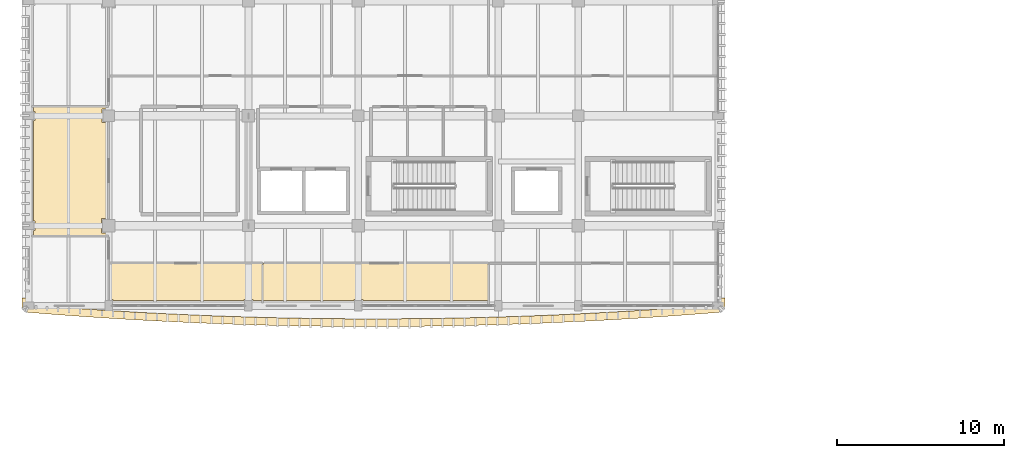
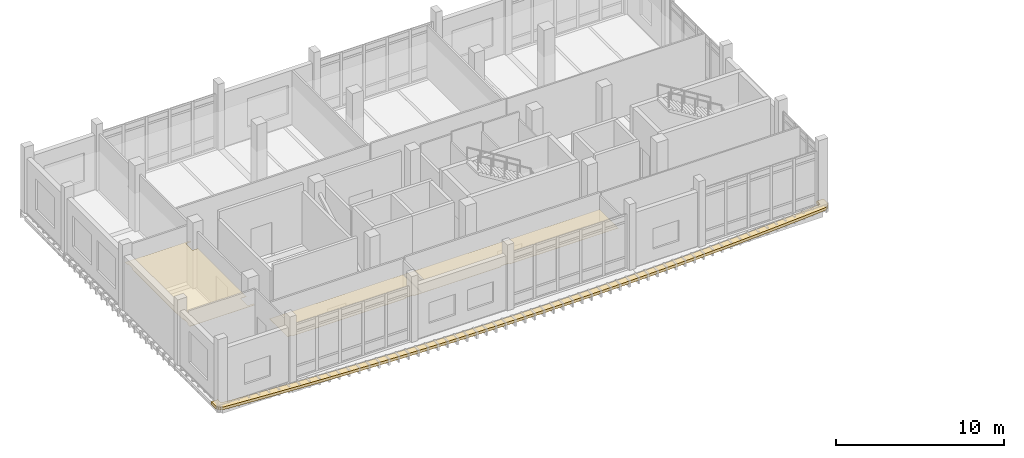
# One storey, part 26 of 37: 4 coverings.
"""IFC4 building model written with IfcOpenShell, lengths in metres."""

from ifc_helpers import new_model, si_unit, direction, frame, origin, place, context, subcontext, project, spatial, polyline, outline, extrude, material, layer, layer_set, type_object, element, save


model = new_model("IFC4")

# Units and contexts
model_context = context("Model", 3, precision=1e-05, world=origin(), true_north=direction((0.0, 1.0)))
body_context = subcontext(model_context, "Body", "Model", "MODEL_VIEW")
ifc_project = project(units=[si_unit("LENGTHUNIT", "METRE"), si_unit("AREAUNIT", "SQUARE_METRE"), si_unit("VOLUMEUNIT", "CUBIC_METRE"), si_unit("PLANEANGLEUNIT", "RADIAN"), si_unit("MASSUNIT", "GRAM", prefix="KILO")], contexts=[model_context])

# Site, building, storey
site_placement = place(None, origin())
site = spatial("IfcSite", under=ifc_project, at=site_placement, CompositionType="ELEMENT")
building_placement = place(site_placement, origin())
building = spatial("IfcBuilding", under=site, at=building_placement, Name="Dornvale Research Institute", CompositionType="ELEMENT")
storey_placement = place(building_placement, frame((0.0, 0.0, 29.39990234375)))
storey = spatial("IfcBuildingStorey", under=building, at=storey_placement, Name="L06", CompositionType="ELEMENT", Elevation=29.39990234375)

# Coverings
ifc_material_1 = material(Name="Mineral-Fibre Acoustic Lay-In Ceiling Tile System")
ifc_layer_1 = layer(ifc_material_1, 0.02001953125)
ifc_layer_set_1 = layer_set([ifc_layer_1], Name="Mineral-Fibre Acoustic Lay-In Ceiling Tile System")
covering_type_1 = type_object("IfcCoveringType", Name="Covering_Acoustic_Ceiling", PredefinedType="CEILING", material=ifc_layer_set_1)
covering_1_placement = place(storey_placement, frame((0.0, 0.0, 2.85009765625)))
element("IfcCovering", 1, at=covering_1_placement, inside=storey, type_object=covering_type_1, Name="L06 Quantum Optics Darkroom Suite L06 suspended ceiling", PredefinedType="CEILING", context=body_context, shape_type="SweptSolid", body=[
    extrude(outline(polyline([(0.300048828125, 110.675048828125), (0.300048828125, 110.929931640625), (4.780029296875, 110.929931640625), (4.780029296875, 110.800048828125), (4.39990234375, 110.800048828125), (4.39990234375, 110.0), (4.780029296875, 110.0), (4.780029296875, 104.22509765625), (4.375, 104.22509765625), (4.375, 103.375), (4.780029296875, 103.375), (4.780029296875, 103.219970703125), (0.300048828125, 103.219970703125), (0.300048828125, 103.52490234375), (0.375, 103.52490234375), (0.375, 104.074951171875), (0.300048828125, 104.074951171875), (0.300048828125, 110.125), (0.375, 110.125), (0.375, 110.675048828125), (0.300048828125, 110.675048828125)])), origin(), (0.0, 0.0, 1.0), 0.02001953125),
])
covering_2_placement = place(storey_placement, frame((0.0, 0.0, 2.85009765625)))
element("IfcCovering", 2, at=covering_2_placement, inside=storey, type_object=covering_type_1, Name="L06 Biodiversity Data Synthesis Lab suspended ceiling", PredefinedType="CEILING", context=body_context, shape_type="SweptSolid", body=[
    extrude(outline(polyline([(14.030029296875, 101.530029296875), (14.030029296875, 99.300048828125), (13.47509765625, 99.300048828125), (13.47509765625, 99.375), (12.925048828125, 99.375), (12.925048828125, 99.300048828125), (5.074951171875, 99.300048828125), (5.074951171875, 99.375), (4.820068359375, 99.375), (4.820068359375, 101.530029296875), (14.030029296875, 101.530029296875)])), origin(), (0.0, 0.0, 1.0), 0.02001953125),
])
covering_3_placement = place(storey_placement, frame((0.0, 0.0, 2.85009765625)))
element("IfcCovering", 3, at=covering_3_placement, inside=storey, type_object=covering_type_1, Name="L06 Seminar Room L06-S suspended ceiling", PredefinedType="CEILING", context=body_context, shape_type="SweptSolid", body=[
    extrude(outline(polyline([(14.070068359375, 99.300048828125), (14.070068359375, 101.530029296875), (27.580078125, 101.530029296875), (27.580078125, 99.300048828125), (20.074951171875, 99.300048828125), (20.074951171875, 99.375), (19.52490234375, 99.375), (19.52490234375, 99.300048828125), (14.070068359375, 99.300048828125)])), origin(), (0.0, 0.0, 1.0), 0.02001953125),
])
ifc_material_2 = material(Name="Polychrome Glazed Terracotta Visor Rib Ceramic", Category="masonry")
ifc_layer_2 = layer(ifc_material_2, 0.199951171875)
ifc_layer_set_2 = layer_set([ifc_layer_2], Name="Polychrome Glazed Terracotta Visor Rib Ceramic")
covering_type_2 = type_object("IfcCoveringType", Name="Covering_VisorBrim_Shelf", PredefinedType="CLADDING", material=ifc_layer_set_2)
covering_4_placement = place(storey_placement, frame((0.0, 0.0, -0.27978515625)))
element("IfcCovering", 4, at=covering_4_placement, inside=storey, type_object=covering_type_2, Name="L06 V5 canted bowed-brim visor hood #25", PredefinedType="CLADDING", context=body_context, shape_type="SweptSolid", body=[
    extrude(outline(polyline([(41.80322265625, 99.0), (41.775390625, 98.85302734375), (41.696044921875, 98.726318359375), (41.575927734375, 98.63720703125), (41.431640625, 98.597900390625), (39.775634765625, 98.46728515625), (39.77294921875, 98.46728515625), (38.116943359375, 98.34765625), (38.114501953125, 98.347412109375), (36.45849609375, 98.23876953125), (36.455810546875, 98.238525390625), (34.7998046875, 98.140380859375), (34.797119140625, 98.140380859375), (33.14111328125, 98.053466796875), (33.138427734375, 98.05322265625), (31.482421875, 97.97705078125), (31.47998046875, 97.976806640625), (29.823974609375, 97.91162109375), (29.8212890625, 97.91162109375), (28.165283203125, 97.857177734375), (28.16259765625, 97.857177734375), (26.506591796875, 97.8134765625), (26.50390625, 97.8134765625), (24.847900390625, 97.781005859375), (24.84521484375, 97.78076171875), (23.189208984375, 97.759033203125), (23.1865234375, 97.759033203125), (21.530517578125, 97.748291015625), (21.528076171875, 97.748291015625), (19.8720703125, 97.748291015625), (19.869384765625, 97.748291015625), (18.21337890625, 97.759033203125), (18.210693359375, 97.759033203125), (16.5546875, 97.78076171875), (16.552001953125, 97.781005859375), (14.89599609375, 97.8134765625), (14.893310546875, 97.8134765625), (13.2373046875, 97.857177734375), (13.23486328125, 97.857177734375), (11.578857421875, 97.91162109375), (11.576171875, 97.91162109375), (9.920166015625, 97.976806640625), (9.91748046875, 97.97705078125), (8.261474609375, 98.05322265625), (8.2587890625, 98.053466796875), (6.602783203125, 98.140380859375), (6.60009765625, 98.140380859375), (4.944091796875, 98.238525390625), (4.941650390625, 98.23876953125), (3.28564453125, 98.347412109375), (3.282958984375, 98.34765625), (1.626953125, 98.46728515625), (1.624267578125, 98.46728515625), (-0.03173828125, 98.597900390625), (-0.176025390625, 98.63720703125), (-0.296142578125, 98.726318359375), (-0.37548828125, 98.85302734375), (-0.4033203125, 99.0), (-0.4033203125, 99.449951171875), (0.06005859375, 99.449951171875), (0.06005859375, 99.055419921875), (1.660400390625, 98.92919921875), (3.316162109375, 98.809814453125), (4.9716796875, 98.700927734375), (6.627197265625, 98.602783203125), (8.282958984375, 98.515869140625), (9.938720703125, 98.439697265625), (11.59423828125, 98.37451171875), (13.249755859375, 98.3203125), (14.905517578125, 98.276611328125), (16.56103515625, 98.243896484375), (18.216552734375, 98.22216796875), (19.872314453125, 98.21142578125), (21.52783203125, 98.21142578125), (23.183349609375, 98.22216796875), (24.839111328125, 98.243896484375), (26.49462890625, 98.276611328125), (28.150146484375, 98.3203125), (29.805908203125, 98.37451171875), (31.46142578125, 98.439697265625), (33.116943359375, 98.515869140625), (34.772705078125, 98.602783203125), (36.42822265625, 98.700927734375), (38.083984375, 98.809814453125), (39.739501953125, 98.92919921875), (41.340087890625, 99.055419921875), (41.340087890625, 99.449951171875), (41.80322265625, 99.449951171875), (41.80322265625, 99.0)])), origin(), (0.0, 0.0, 1.0), 0.199951171875),
])

save(model, "model.ifc")
